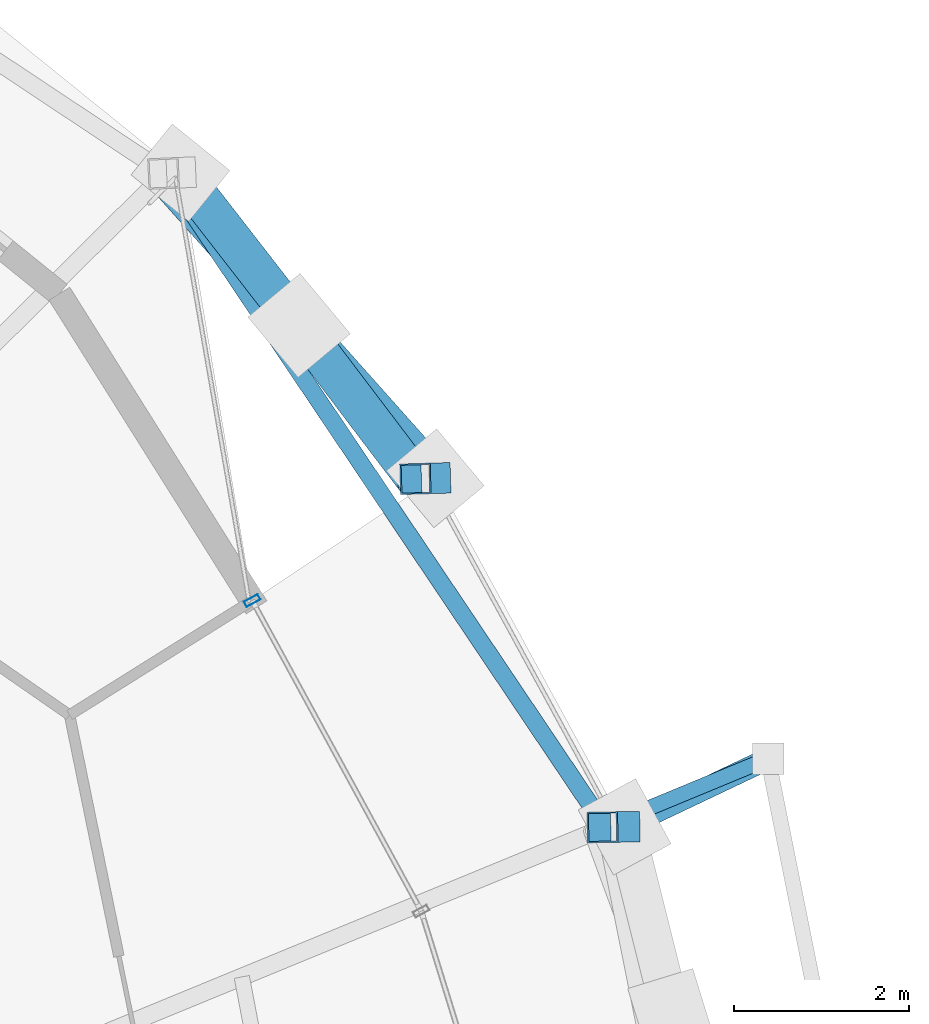
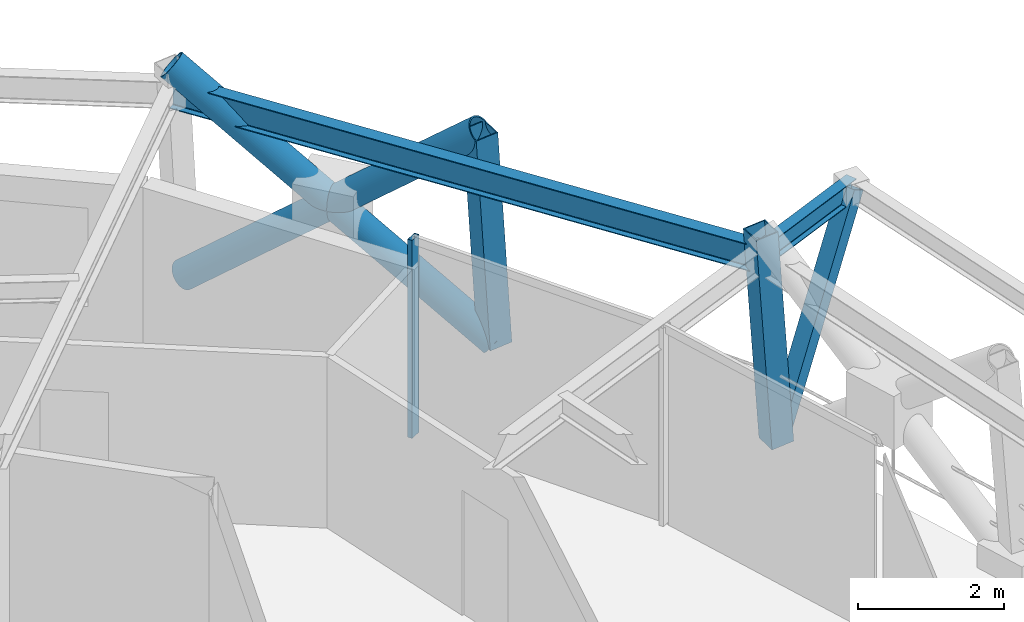
# One storey, part 11 of 18: 7 members, 2 beams, 1 element without a shape of its own.
"""IFC4 building model written with IfcOpenShell, lengths in metres."""

from ifc_helpers import new_model, si_unit, direction, frame, origin, origin_2d, place, context, subcontext, project, spatial, hollow_rectangle, hollow_circle, i_section, extrude, material, layer, layer_set, material_profile, profile_set, type_object, element, aggregate, save


model = new_model("IFC4")

# Units and contexts
model_context = context("Model", 3, precision=1e-05, world=origin(), true_north=direction((0.0, 1.0)))
body_context = subcontext(model_context, "Body", "Model", "MODEL_VIEW")
ifc_project = project(units=[si_unit("LENGTHUNIT", "METRE"), si_unit("AREAUNIT", "SQUARE_METRE"), si_unit("VOLUMEUNIT", "CUBIC_METRE"), si_unit("PLANEANGLEUNIT", "RADIAN"), si_unit("MASSUNIT", "GRAM", prefix="KILO")], contexts=[model_context])

# Site, building, storey
site_placement = place(None, origin())
site = spatial("IfcSite", under=ifc_project, at=site_placement, CompositionType="ELEMENT")
building_placement = place(site_placement, origin())
building = spatial("IfcBuilding", under=site, at=building_placement, Name="Veldorina Hangang Commons", CompositionType="ELEMENT")
storey_placement = place(building_placement, frame((0.0, 0.0, 243.60009765625)))
storey = spatial("IfcBuildingStorey", under=building, at=storey_placement, Name="L63", CompositionType="ELEMENT", Elevation=243.60009765625)

# Beams
ifc_material_1 = material(Name="Steel SM355-TMC", Category="steel")
ifc_material_profile_1 = material_profile(ifc_material_1, i_section(OverallWidth=0.175048828125, OverallDepth=0.35009765625, WebThickness=0.007080078125, FlangeThickness=0.010986328125, FilletRadius=0.012939453125, at=origin_2d()), Name="H-350x175x7x11")
ifc_profile_set_1 = profile_set([ifc_material_profile_1], Name="Steel SM355-TMC")
beam_type_1 = type_object("IfcBeamType", Name="BM-FG350", PredefinedType="BEAM", material=ifc_profile_set_1)
beam_1_placement = place(storey_placement, frame((53.415283203125, 32.828369140625, 3.184814453125), z_axis=(0.923899270644, 0.382635776821, 0.0), x_axis=(-0.382635776821, 0.923899270644, 0.0)))
element("IfcBeam", 1, at=beam_1_placement, inside=storey, type_object=beam_type_1, Name="L64 tree balcony 2 bracket beam B", PredefinedType="BEAM", context=body_context, shape_type="SweptSolid", body=[
    extrude(i_section(OverallWidth=0.175048828125, OverallDepth=0.35009765625, WebThickness=0.007080078125, FlangeThickness=0.010986328125, FilletRadius=0.012939453125, at=origin_2d()), origin(), (0.0, 0.0, 1.0), 2.050048828125),
])
ifc_material_profile_2 = material_profile(ifc_material_1, i_section(OverallWidth=0.199951171875, OverallDepth=0.449951171875, WebThickness=0.009033203125, FlangeThickness=0.013916015625, FilletRadius=0.01611328125, at=origin_2d()), Name="H-450x200x9x14")
ifc_profile_set_2 = profile_set([ifc_material_profile_2], Name="Steel SM355-TMC")
beam_type_2 = type_object("IfcBeamType", Name="BM-RB450", PredefinedType="BEAM", material=ifc_profile_set_2)
beam_2_placement = place(storey_placement, frame((53.447998046875, 32.8291015625, 3.135009765625), z_axis=(-0.557975413359, 0.829857480587, 0.0), x_axis=(-0.829857480587, -0.557975413359, 0.0)))
element("IfcBeam", 2, at=beam_2_placement, inside=storey, type_object=beam_type_2, Name="L63 perimeter hoop ring beam 02", PredefinedType="BEAM", context=body_context, shape_type="SweptSolid", body=[
    extrude(i_section(OverallWidth=0.199951171875, OverallDepth=0.449951171875, WebThickness=0.009033203125, FlangeThickness=0.013916015625, FilletRadius=0.01611328125, at=origin_2d()), origin(), (0.0, 0.0, 1.0), 9.01904296875),
])

# Curtain wall, member
ifc_material_2 = material(Name="Glass Low-E Selective", Category="glass")
ifc_layer = layer(ifc_material_2, 0.179931640625)
ifc_layer_set = layer_set([ifc_layer], Name="Glass Low-E Selective")
curtain_wall_type = type_object("IfcCurtainWallType", Name="CW-SYS-Z3", PredefinedType="NOTDEFINED", material=ifc_layer_set)
curtain_wall_placement = place(storey_placement, origin())
curtain_wall = element("IfcCurtainWall", 3, at=curtain_wall_placement, inside=storey, type_object=curtain_wall_type, Name="L63 unitised curtain wall CW-L63-R2", PredefinedType="NOTDEFINED")
ifc_material_3 = material(Name="Aluminium Anodized AA6063-T6", Category="aluminium")
ifc_material_profile_3 = material_profile(ifc_material_3, hollow_rectangle(XDim=0.070068359375, YDim=0.179931640625, WallThickness=0.00390625, at=origin_2d()), Name="ALU-RHS-180x70x4")
ifc_profile_set_3 = profile_set([ifc_material_profile_3], Name="Aluminium Anodized AA6063-T6")
member_type_1 = type_object("IfcMemberType", Name="CW-MUL-180", PredefinedType="MULLION", material=ifc_profile_set_3)
member_1_placement = place(storey_placement, frame((49.4052734375, 35.423583984375, 0.0), z_axis=(0.0, 0.0, 1.0), x_axis=(0.478002144155, -0.878358668303, 0.0)))
member_1 = element("IfcMember", 4, at=member_1_placement, type_object=member_type_1, Name="CW-L63-R2 vertical mullion 4", PredefinedType="MULLION", context=body_context, shape_type="SweptSolid", body=[
    extrude(hollow_rectangle(XDim=0.070068359375, YDim=0.179931640625, WallThickness=0.00390625, at=origin_2d()), origin(), (0.0, 0.0, 1.0), 3.31982421875),
])
aggregate(curtain_wall, [member_1])

# Members
ifc_material_profile_4 = material_profile(ifc_material_1, hollow_circle(Radius=0.22509765625, WallThickness=0.02197265625, at=origin_2d()), Name="CHS-450x22")
ifc_profile_set_4 = profile_set([ifc_material_profile_4], Name="Steel SM355-TMC")
member_type_2 = type_object("IfcMemberType", Name="DG-CHS450", PredefinedType="BRACE", material=ifc_profile_set_4)
member_2_placement = place(storey_placement, frame((51.50048828125, 36.823486328125, 0.0), z_axis=(-0.527132459464, 0.591441129743, 0.610187479573), x_axis=(-0.746526808037, -0.665355337306, 0.0)))
element("IfcMember", 5, at=member_2_placement, inside=storey, type_object=member_type_2, Name="L63 continuous perimeter diagrid brace 03", PredefinedType="BRACE", context=body_context, shape_type="SweptSolid", body=[
    extrude(hollow_circle(Radius=0.22509765625, WallThickness=0.02197265625, at=origin_2d()), origin(), (0.0, 0.0, 1.0), 5.899658203125),
])
member_3_placement = place(storey_placement, frame((48.583984375, 40.3212890625, 0.0), z_axis=(0.475350938767, -0.612288936233, 0.631778239243), x_axis=(0.789898189147, 0.613238005005, 0.0)))
element("IfcMember", 6, at=member_3_placement, inside=storey, type_object=member_type_2, Name="L63 split perimeter diagrid lower brace 04", PredefinedType="BRACE", context=body_context, shape_type="SweptSolid", body=[
    extrude(hollow_circle(Radius=0.22509765625, WallThickness=0.02197265625, at=origin_2d()), origin(), (0.0, 0.0, 1.0), 2.856201171875),
])
member_4_placement = place(storey_placement, frame((49.941650390625, 38.572509765625, 1.804443359375), z_axis=(0.468473184187, -0.617673389711, 0.631674330126), x_axis=(0.79675749481, 0.604299176289, 0.0)))
element("IfcMember", 7, at=member_4_placement, inside=storey, type_object=member_type_2, Name="L63 split perimeter diagrid upper brace 04", PredefinedType="BRACE", context=body_context, shape_type="SweptSolid", body=[
    extrude(hollow_circle(Radius=0.22509765625, WallThickness=0.02197265625, at=origin_2d()), origin(), (0.0, 0.0, 1.0), 2.84228515625),
])
ifc_material_profile_5 = material_profile(ifc_material_1, hollow_rectangle(XDim=0.25, YDim=0.25, WallThickness=0.011962890625, at=origin_2d()), Name="SHS-250x250x12")
ifc_profile_set_5 = profile_set([ifc_material_profile_5], Name="Steel SM355-TMC")
member_type_3 = type_object("IfcMemberType", Name="STR-SHS250", PredefinedType="STRUT", material=ifc_profile_set_5)
member_5_placement = place(storey_placement, frame((53.66796875, 32.8330078125, 0.0), z_axis=(0.447630984992, 0.212663002538, 0.868562576115), x_axis=(-0.429119844484, 0.903247562449, 0.0)))
element("IfcMember", 8, at=member_5_placement, inside=storey, type_object=member_type_3, Name="L64 tree balcony 2 raking knee strut B", PredefinedType="STRUT", context=body_context, shape_type="SweptSolid", body=[
    extrude(hollow_rectangle(XDim=0.25, YDim=0.25, WallThickness=0.011962890625, at=origin_2d()), origin(), (0.0, 0.0, 1.0), 3.666748046875),
])
ifc_material_profile_6 = material_profile(ifc_material_1, hollow_rectangle(XDim=0.35009765625, YDim=0.35009765625, WallThickness=0.01611328125, at=origin_2d()), Name="SHS-350x350x16")
ifc_profile_set_6 = profile_set([ifc_material_profile_6], Name="Steel SM355-TMC")
member_type_4 = type_object("IfcMemberType", Name="STR-SHS350", PredefinedType="STRUT", material=ifc_profile_set_6)
member_6_placement = place(storey_placement, frame((53.66796875, 32.8330078125, 0.0), z_axis=(-0.070020939835, -0.001285408557, 0.99754469359), x_axis=(0.018354395492, -0.999831543894, 0.0)))
element("IfcMember", 9, at=member_6_placement, inside=storey, type_object=member_type_4, Name="L63 perimeter ring node post 02", PredefinedType="STRUT", context=body_context, shape_type="SweptSolid", body=[
    extrude(hollow_rectangle(XDim=0.35009765625, YDim=0.35009765625, WallThickness=0.01611328125, at=origin_2d()), origin(), (0.0, 0.0, 1.0), 3.608642578125),
])
member_7_placement = place(storey_placement, frame((51.50048828125, 36.823486328125, 0.0), z_axis=(-0.063014458194, -0.001827486972, 0.998010940997), x_axis=(0.028988885947, -0.999579733934, 0.0)))
element("IfcMember", 10, at=member_7_placement, inside=storey, type_object=member_type_4, Name="L63 perimeter ring node post 03", PredefinedType="STRUT", context=body_context, shape_type="SweptSolid", body=[
    extrude(hollow_rectangle(XDim=0.35009765625, YDim=0.35009765625, WallThickness=0.01611328125, at=origin_2d()), origin(), (0.0, 0.0, 1.0), 3.60693359375),
])

save(model, "model.ifc")
